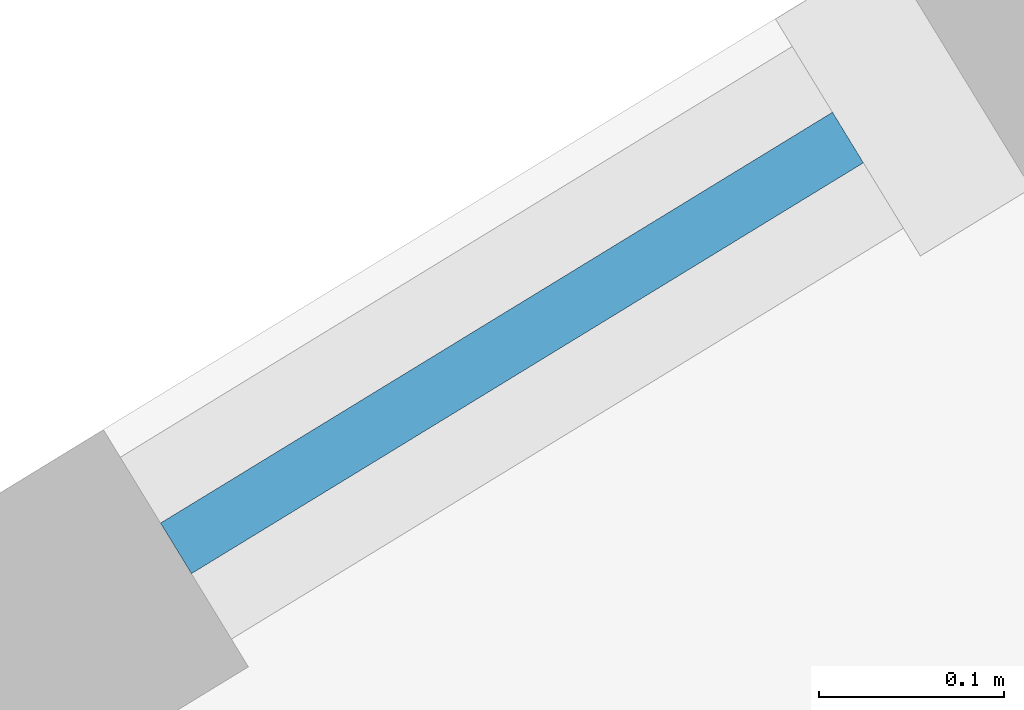
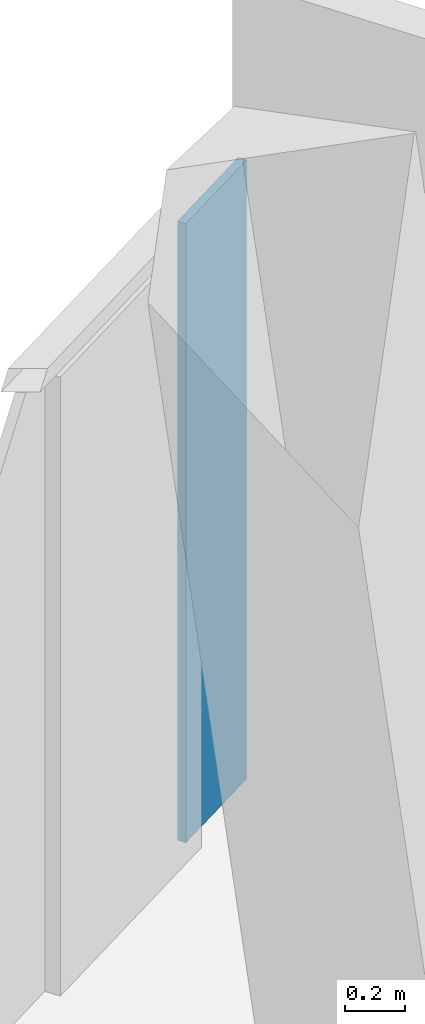
# One storey, part 17 of 26: 1 plate, 1 element without a shape of its own.
"""IFC4 building model written with IfcOpenShell, lengths in metres."""

from ifc_helpers import new_model, si_unit, direction, frame, origin, origin_2d, place, context, subcontext, project, spatial, rectangle, extrude, material, layer, layer_set, type_object, element, aggregate, save


model = new_model("IFC4")

# Units and contexts
model_context = context("Model", 3, precision=1e-05, world=origin(), true_north=direction((0.0, 1.0)))
body_context = subcontext(model_context, "Body", "Model", "MODEL_VIEW")
ifc_project = project(units=[si_unit("LENGTHUNIT", "METRE"), si_unit("AREAUNIT", "SQUARE_METRE"), si_unit("VOLUMEUNIT", "CUBIC_METRE"), si_unit("PLANEANGLEUNIT", "RADIAN"), si_unit("MASSUNIT", "GRAM", prefix="KILO")], contexts=[model_context])

# Site, building, storey
site_placement = place(None, origin())
site = spatial("IfcSite", under=ifc_project, at=site_placement, CompositionType="ELEMENT")
building_placement = place(site_placement, origin())
building = spatial("IfcBuilding", under=site, at=building_placement, Name="Verdalira Terraces Hotel", CompositionType="ELEMENT")
storey_placement = place(building_placement, frame((0.0, 0.0, 284.5)))
storey = spatial("IfcBuildingStorey", under=building, at=storey_placement, Name="L70", CompositionType="ELEMENT", Elevation=284.5)

# Curtain wall, plate
ifc_material_1 = material(Name="Clear glass", Category="glass")
ifc_layer_1 = layer(ifc_material_1, 0.14990234375)
ifc_layer_set_1 = layer_set([ifc_layer_1], Name="CW2 curtain wall")
curtain_wall_type = type_object("IfcCurtainWallType", Name="CW2 curtain wall", PredefinedType="NOTDEFINED", material=ifc_layer_set_1)
curtain_wall_placement = place(storey_placement, origin())
curtain_wall = element("IfcCurtainWall", 1, at=curtain_wall_placement, inside=storey, type_object=curtain_wall_type, Name="CW2 curtain wall L70 edge 38", PredefinedType="NOTDEFINED")
ifc_material_2 = material(Name="Clear glass", Category="glass")
ifc_layer_2 = layer(ifc_material_2, 0.031982421875)
ifc_layer_set_2 = layer_set([ifc_layer_2], Name="CW2 glass unit 32")
plate_type = type_object("IfcPlateType", Name="CW2 glass unit 32", PredefinedType="CURTAIN_PANEL", material=ifc_layer_set_2)
plate_placement = place(storey_placement, frame((29.770752, 25.731201, 0.0), z_axis=(0.0, 0.0, 1.0), x_axis=(-0.853186856, -0.521605396, 0.0)))
plate = element("IfcPlate", 2, at=plate_placement, type_object=plate_type, Name="CW2 glass unit", PredefinedType="CURTAIN_PANEL", context=body_context, shape_type="SweptSolid", body=[
    extrude(rectangle(XDim=0.425049, YDim=0.031982, at=origin_2d()), origin(), (0.0, 0.0, 1.0), 2.524902),
])
aggregate(curtain_wall, [plate])

save(model, "model.ifc")
